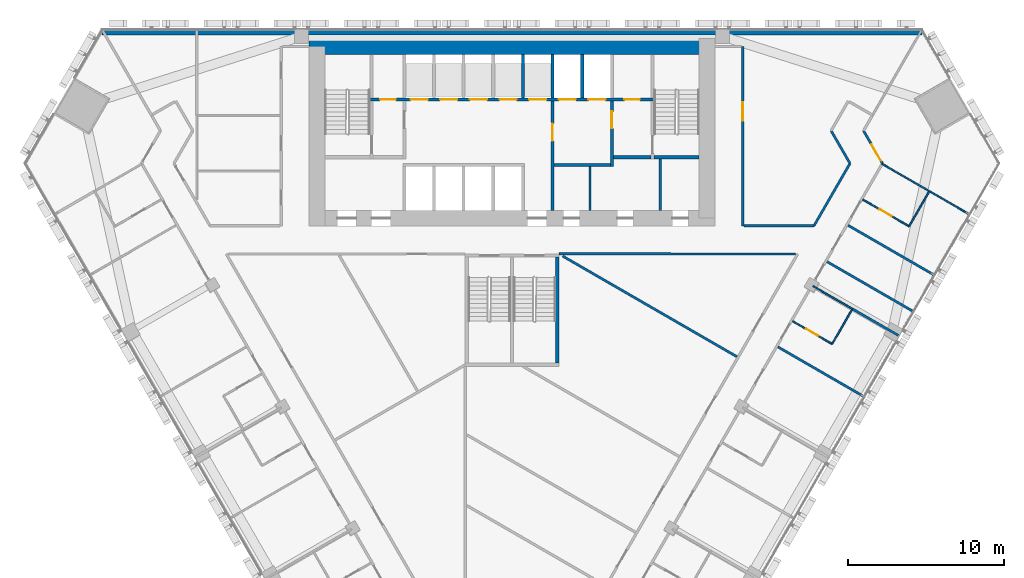
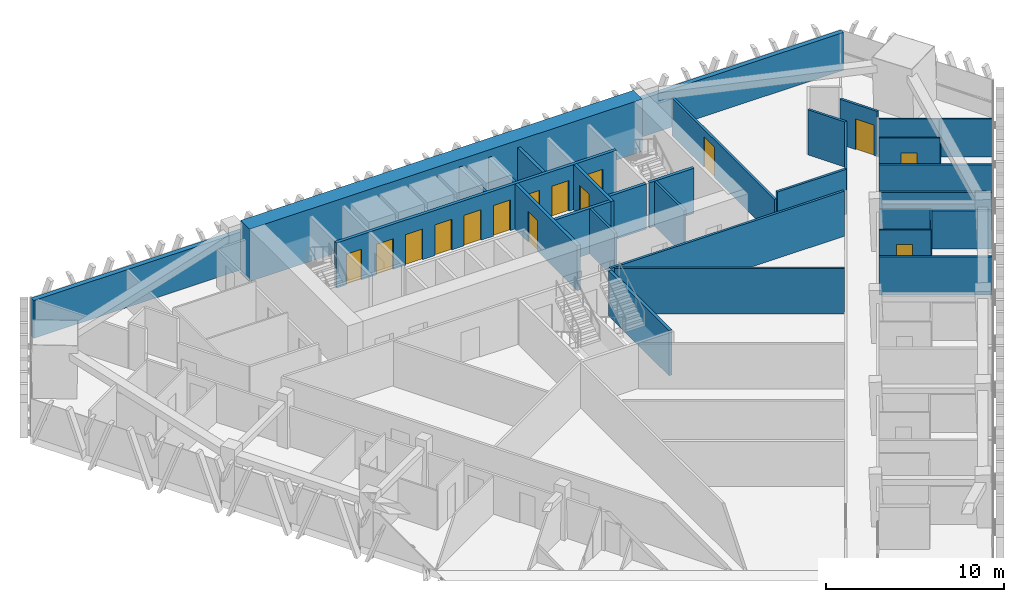
# One storey, part 13 of 17: 31 walls, 15 doors, 15 openings.
"""IFC4 building model written with IfcOpenShell, lengths in metres."""

from ifc_helpers import new_model, si_unit, direction, frame, frame_2d, origin, place, context, subcontext, project, spatial, rectangle, extrude, material, layer, layer_set, type_object, element, fill, save


model = new_model("IFC4")

# Units and contexts
model_context = context("Model", 3, precision=1e-05, world=origin(), true_north=direction((0.0, 1.0)))
body_context = subcontext(model_context, "Body", "Model", "MODEL_VIEW")
ifc_project = project(units=[si_unit("LENGTHUNIT", "METRE"), si_unit("AREAUNIT", "SQUARE_METRE"), si_unit("VOLUMEUNIT", "CUBIC_METRE"), si_unit("PLANEANGLEUNIT", "RADIAN"), si_unit("MASSUNIT", "GRAM", prefix="KILO")], contexts=[model_context])

# Site, building, storey
site_placement = place(None, origin())
site = spatial("IfcSite", under=ifc_project, at=site_placement, CompositionType="ELEMENT")
building_placement = place(site_placement, origin())
building = spatial("IfcBuilding", under=site, at=building_placement, Name="Altiplano Prism Tower", CompositionType="ELEMENT")
storey_placement = place(building_placement, frame((0.0, 0.0, 30.60009765625)))
storey = spatial("IfcBuildingStorey", under=building, at=storey_placement, Name="L06", CompositionType="ELEMENT", Elevation=30.60009765625)

# Walls
ifc_material_1 = material(Name="Concrete C70/85", Category="concrete")
ifc_layer_1 = layer(ifc_material_1, 1.0)
ifc_layer_set_1 = layer_set([ifc_layer_1], Name="Concrete C70/85")
wall_type_1 = type_object("IfcWallType", Name="Core wall 1000", PredefinedType="SHEAR", material=ifc_layer_set_1)
wall_1_placement = place(storey_placement, frame((97.5, 103.89990234375, 0.0), z_axis=(0.0, 0.0, 1.0), x_axis=(-1.0, 0.0, 0.0)))
element("IfcWall", 1, at=wall_1_placement, inside=storey, type_object=wall_type_1, Name="Core wall N L06", PredefinedType="SHEAR", context=body_context, shape_type="SweptSolid", body=[
    extrude(rectangle(XDim=25.5, YDim=1.0, at=frame_2d((12.75, 0.0))), origin(), (0.0, 0.0, 1.0), 3.599853515625),
])
ifc_material_2 = material(Name="Plasterboard on steel stud", Category="steel")
ifc_layer_2 = layer(ifc_material_2, 0.10009765625)
ifc_layer_set_2 = layer_set([ifc_layer_2], Name="Plasterboard on steel stud")
wall_type_2 = type_object("IfcWallType", Name="Partition 100 unit", PredefinedType="PARTITIONING", material=ifc_layer_set_2)
wall_2_placement = place(storey_placement, frame((106.787841796875, 87.014892578125, 0.0), z_axis=(0.0, 0.0, 1.0), x_axis=(-0.499976333282, -0.866039067339, 0.0)))
element("IfcWall", 2, at=wall_2_placement, inside=storey, type_object=wall_type_2, Name="Partition P02 L06 077", PredefinedType="PARTITIONING", context=body_context, shape_type="SweptSolid", body=[
    extrude(rectangle(XDim=2.52490234375, YDim=0.10009765625, at=frame_2d((1.262451171875, 0.0))), origin(), (0.0, 0.0, 1.0), 2.699951171875),
])

# Wall, opening, door
wall_3_placement = place(storey_placement, frame((105.525390625, 84.828125, 0.0), z_axis=(0.0, 0.0, 1.0), x_axis=(-0.865989585315, 0.500062034277, 0.0)))
wall_3 = element("IfcWall", 3, at=wall_3_placement, inside=storey, type_object=wall_type_2, Name="Partition P02 L06 078", PredefinedType="PARTITIONING", context=body_context, shape_type="SweptSolid", body=[
    extrude(rectangle(XDim=2.925048828125, YDim=0.10009765625, at=frame_2d((1.46240234375, 0.0))), origin(), (0.0, 0.0, 1.0), 3.099853515625),
])
opening_1_placement = place(wall_3_placement, frame((1.050048828125, 0.0, 0.0)))
opening_1 = element("IfcOpeningElement", 4, at=opening_1_placement, cuts=wall_3, Name="Opening D0212", PredefinedType="OPENING", context=body_context, shape_type="SweptSolid", body=[
    extrude(rectangle(XDim=0.89990234375, YDim=2.10009765625, at=frame_2d((0.449951171875, 1.050048828125))), frame((0.0, 0.060546875, 0.0), z_axis=(0.0, -1.0, 0.0), x_axis=(1.0, 0.0, 0.0)), (0.0, 0.0, 1.0), 0.12109375),
])
ifc_material_3 = material(Name="Timber", Category="wood")
door_type_1 = type_object("IfcDoorType", Name="Ensuite door 900 x 2100", OperationType="NOTDEFINED", PredefinedType="NOTDEFINED", material=ifc_material_3)
door_1_placement = place(opening_1_placement, origin())
door_1 = element("IfcDoor", 5, at=door_1_placement, inside=storey, type_object=door_type_1, Name="Door D0212", OperationType="SINGLE_SWING_LEFT", OverallHeight=2.10009765625, OverallWidth=0.89990234375, PredefinedType="NOTDEFINED", context=body_context, shape_type="SweptSolid", body=[
    extrude(rectangle(XDim=0.89990234375, YDim=2.10009765625, at=frame_2d((0.449951171875, 1.050048828125))), frame((0.0, 0.02490234375, 0.0), z_axis=(0.0, -1.0, 0.0), x_axis=(1.0, 0.0, 0.0)), (0.0, 0.0, 1.0), 0.050048828125),
])
fill(opening_1, door_1)

# Wall
wall_4_placement = place(storey_placement, frame((111.7333984375, 94.580810546875, 0.0), z_axis=(0.0, 0.0, 1.0), x_axis=(-0.499990435942, -0.866030925526, 0.0)))
element("IfcWall", 6, at=wall_4_placement, inside=storey, type_object=wall_type_2, Name="Partition P02 L06 083", PredefinedType="PARTITIONING", context=body_context, shape_type="SweptSolid", body=[
    extrude(rectangle(XDim=2.5498046875, YDim=0.10009765625, at=frame_2d((1.27490234375, 0.0))), origin(), (0.0, 0.0, 1.0), 2.599853515625),
])

# Wall, opening, door
wall_5_placement = place(storey_placement, frame((110.45849609375, 92.37255859375, 0.0), z_axis=(0.0, 0.0, 1.0), x_axis=(-0.866032454348, 0.499987787867, 0.0)))
wall_5 = element("IfcWall", 7, at=wall_5_placement, inside=storey, type_object=wall_type_2, Name="Partition P02 L06 084", PredefinedType="PARTITIONING", context=body_context, shape_type="SweptSolid", body=[
    extrude(rectangle(XDim=3.4248046875, YDim=0.10009765625, at=frame_2d((1.71240234375, 0.0))), origin(), (0.0, 0.0, 1.0), 3.099853515625),
])
opening_2_placement = place(wall_5_placement, frame((1.300048828125, 0.0, 0.0)))
opening_2 = element("IfcOpeningElement", 8, at=opening_2_placement, cuts=wall_5, Name="Opening D0216", PredefinedType="OPENING", context=body_context, shape_type="SweptSolid", body=[
    extrude(rectangle(XDim=0.89990234375, YDim=2.10009765625, at=frame_2d((0.449951171875, 1.050048828125))), frame((0.0, 0.060546875, 0.0), z_axis=(0.0, -1.0, 0.0), x_axis=(1.0, 0.0, 0.0)), (0.0, 0.0, 1.0), 0.12109375),
])
door_type_2 = type_object("IfcDoorType", Name="Accessible ensuite door 900 x 2100", OperationType="NOTDEFINED", PredefinedType="NOTDEFINED", material=ifc_material_3)
door_2_placement = place(opening_2_placement, origin())
door_2 = element("IfcDoor", 9, at=door_2_placement, inside=storey, type_object=door_type_2, Name="Door D0216", OperationType="SINGLE_SWING_RIGHT", OverallHeight=2.10009765625, OverallWidth=0.89990234375, PredefinedType="NOTDEFINED", context=body_context, shape_type="SweptSolid", body=[
    extrude(rectangle(XDim=0.89990234375, YDim=2.10009765625, at=frame_2d((0.449951171875, 1.050048828125))), frame((0.0, 0.02490234375, 0.0), z_axis=(0.0, -1.0, 0.0), x_axis=(1.0, 0.0, 0.0)), (0.0, 0.0, 1.0), 0.050048828125),
])
fill(opening_2, door_2)

# Walls
ifc_layer_3 = layer(ifc_material_2, 0.10009765625)
ifc_layer_set_3 = layer_set([ifc_layer_3], Name="Plasterboard on steel stud")
wall_type_3 = type_object("IfcWallType", Name="Partition 100 wet", PredefinedType="PARTITIONING", material=ifc_layer_set_3)
wall_6_placement = place(storey_placement, frame((106.8427734375, 87.06982421875, 0.0), z_axis=(0.0, 0.0, 1.0), x_axis=(-0.866010265175, 0.500026219923, 0.0)))
element("IfcWall", 10, at=wall_6_placement, inside=storey, type_object=wall_type_3, Name="Partition P03 L06 080", PredefinedType="PARTITIONING", context=body_context, shape_type="SweptSolid", body=[
    extrude(rectangle(XDim=2.945068359375, YDim=0.10009765625, at=frame_2d((1.47265625, 0.0))), origin(), (0.0, 0.0, 1.0), 2.699951171875),
])
wall_7_placement = place(storey_placement, frame((114.287353515625, 93.1640625, 0.0), z_axis=(0.0, 0.0, 1.0), x_axis=(-0.866034872269, 0.499983599745, 0.0)))
element("IfcWall", 11, at=wall_7_placement, inside=storey, type_object=wall_type_3, Name="Partition P03 L06 085", PredefinedType="PARTITIONING", context=body_context, shape_type="SweptSolid", body=[
    extrude(rectangle(XDim=6.420166015625, YDim=0.10009765625, at=frame_2d((3.2099609375, 0.0))), origin(), (0.0, 0.0, 1.0), 2.599853515625),
])

# Wall, opening, door
ifc_layer_4 = layer(ifc_material_2, 0.14990234375)
ifc_layer_set_4 = layer_set([ifc_layer_4], Name="Plasterboard on steel stud")
wall_type_4 = type_object("IfcWallType", Name="Partition 150 corridor", PredefinedType="PARTITIONING", material=ifc_layer_set_4)
wall_8_placement = place(storey_placement, frame((108.74609375, 96.406494140625, 0.0), z_axis=(0.0, 0.0, 1.0), x_axis=(-0.500016772967, 0.866015719691, 0.0)))
wall_8 = element("IfcWall", 12, at=wall_8_placement, inside=storey, type_object=wall_type_4, Name="Partition P06 L06 013", PredefinedType="PARTITIONING", context=body_context, shape_type="SweptSolid", body=[
    extrude(rectangle(XDim=2.41748046875, YDim=0.14990234375, at=frame_2d((1.208740234375, 0.0))), origin(), (0.0, 0.0, 1.0), 3.099853515625),
])
opening_3_placement = place(wall_8_placement, frame((0.199951171875, 0.0, 0.0)))
opening_3 = element("IfcOpeningElement", 13, at=opening_3_placement, cuts=wall_8, Name="Opening D0217", PredefinedType="OPENING", context=body_context, shape_type="SweptSolid", body=[
    extrude(rectangle(XDim=1.199951171875, YDim=2.10009765625, at=frame_2d((0.60009765625, 1.050048828125))), frame((0.0, 0.08544921875, 0.0), z_axis=(0.0, -1.0, 0.0), x_axis=(1.0, 0.0, 0.0)), (0.0, 0.0, 1.0), 0.1708984375),
])
door_type_3 = type_object("IfcDoorType", Name="Shared room door 1200 x 2100", OperationType="NOTDEFINED", PredefinedType="NOTDEFINED", material=ifc_material_3)
door_3_placement = place(opening_3_placement, origin())
door_3 = element("IfcDoor", 14, at=door_3_placement, inside=storey, type_object=door_type_3, Name="Door D0217", OperationType="SINGLE_SWING_LEFT", OverallHeight=2.10009765625, OverallWidth=1.199951171875, PredefinedType="NOTDEFINED", context=body_context, shape_type="SweptSolid", body=[
    extrude(rectangle(XDim=1.199951171875, YDim=2.10009765625, at=frame_2d((0.60009765625, 1.050048828125))), frame((0.0, 0.02490234375, 0.0), z_axis=(0.0, -1.0, 0.0), x_axis=(1.0, 0.0, 0.0)), (0.0, 0.0, 1.0), 0.050048828125),
])
fill(opening_3, door_3)

# Walls
wall_9_placement = place(storey_placement, frame((105.458740234375, 98.5, 0.0), z_axis=(0.0, 0.0, 1.0), x_axis=(0.500016772967, -0.866015719691, 0.0)))
element("IfcWall", 15, at=wall_9_placement, inside=storey, type_object=wall_type_4, Name="Partition P06 L06 017", PredefinedType="PARTITIONING", context=body_context, shape_type="SweptSolid", body=[
    extrude(rectangle(XDim=2.41748046875, YDim=0.14990234375, at=frame_2d((1.208740234375, 0.0))), origin(), (0.0, 0.0, 1.0), 3.099853515625),
])
wall_10_placement = place(storey_placement, frame((106.66748046875, 96.406494140625, 0.0), z_axis=(0.0, 0.0, 1.0), x_axis=(-0.499964565595, -0.866045860881, 0.0)))
element("IfcWall", 16, at=wall_10_placement, inside=storey, type_object=wall_type_4, Name="Partition P06 L06 018", PredefinedType="PARTITIONING", context=body_context, shape_type="SweptSolid", body=[
    extrude(rectangle(XDim=4.626220703125, YDim=0.14990234375, at=frame_2d((2.31298828125, 0.0))), origin(), (0.0, 0.0, 1.0), 3.099853515625),
])
wall_11_placement = place(storey_placement, frame((104.3544921875, 92.39990234375, 0.0), z_axis=(0.0, 0.0, 1.0), x_axis=(-1.0, 0.0, 0.0)))
element("IfcWall", 17, at=wall_11_placement, inside=storey, type_object=wall_type_4, Name="Partition P06 L06 019", PredefinedType="PARTITIONING", context=body_context, shape_type="SweptSolid", body=[
    extrude(rectangle(XDim=4.4794921875, YDim=0.14990234375, at=frame_2d((2.23974609375, 0.0))), origin(), (0.0, 0.0, 1.0), 3.099853515625),
])

# Wall, opening, door
wall_12_placement = place(storey_placement, frame((99.800048828125, 92.39990234375, 0.0), z_axis=(0.0, 0.0, 1.0), x_axis=(0.0, 1.0, 0.0)))
wall_12 = element("IfcWall", 18, at=wall_12_placement, inside=storey, type_object=wall_type_4, Name="Partition P06 L06 020", PredefinedType="PARTITIONING", context=body_context, shape_type="SweptSolid", body=[
    extrude(rectangle(XDim=11.5, YDim=0.14990234375, at=frame_2d((5.75, 0.0))), origin(), (0.0, 0.0, 1.0), 2.599853515625),
])
opening_4_placement = place(wall_12_placement, frame((6.741943359375, 0.0, 0.0)))
opening_4 = element("IfcOpeningElement", 19, at=opening_4_placement, cuts=wall_12, Name="Opening D0218", PredefinedType="OPENING", context=body_context, shape_type="SweptSolid", body=[
    extrude(rectangle(XDim=1.199951171875, YDim=2.10009765625, at=frame_2d((0.60009765625, 1.050048828125))), frame((0.0, 0.08544921875, 0.0), z_axis=(0.0, -1.0, 0.0), x_axis=(1.0, 0.0, 0.0)), (0.0, 0.0, 1.0), 0.1708984375),
])
door_4_placement = place(opening_4_placement, origin())
door_4 = element("IfcDoor", 20, at=door_4_placement, inside=storey, type_object=door_type_3, Name="Door D0218", OperationType="SINGLE_SWING_RIGHT", OverallHeight=2.10009765625, OverallWidth=1.199951171875, PredefinedType="NOTDEFINED", context=body_context, shape_type="SweptSolid", body=[
    extrude(rectangle(XDim=1.199951171875, YDim=2.10009765625, at=frame_2d((0.60009765625, 1.050048828125))), frame((0.0, 0.02490234375, 0.0), z_axis=(0.0, -1.0, 0.0), x_axis=(1.0, 0.0, 0.0)), (0.0, 0.0, 1.0), 0.050048828125),
])
fill(opening_4, door_4)

# Walls
wall_13_placement = place(storey_placement, frame((88.0, 90.608154296875, 0.0), z_axis=(0.0, 0.0, 1.0), x_axis=(0.999999859256, -0.000530555079, 0.0)))
element("IfcWall", 21, at=wall_13_placement, inside=storey, type_object=wall_type_4, Name="Partition P06 L06 025", PredefinedType="PARTITIONING", context=body_context, shape_type="SweptSolid", body=[
    extrude(rectangle(XDim=15.185302734375, YDim=0.14990234375, at=frame_2d((7.5927734375, 0.0))), origin(), (0.0, 0.0, 1.0), 3.099853515625),
])
ifc_layer_5 = layer(ifc_material_2, 0.14990234375)
ifc_layer_set_5 = layer_set([ifc_layer_5], Name="Plasterboard on steel stud")
wall_type_5 = type_object("IfcWallType", Name="Partition 150 party", PredefinedType="PARTITIONING", material=ifc_layer_set_5)
wall_14_placement = place(storey_placement, frame((107.537353515625, 81.47265625, 0.0), z_axis=(0.0, 0.0, 1.0), x_axis=(-0.866025401434, 0.500000004071, 0.0)))
element("IfcWall", 22, at=wall_14_placement, inside=storey, type_object=wall_type_5, Name="Partition P01 L06 076", PredefinedType="PARTITIONING", context=body_context, shape_type="SweptSolid", body=[
    extrude(rectangle(XDim=6.34521484375, YDim=0.14990234375, at=frame_2d((3.172607421875, 0.0))), origin(), (0.0, 0.0, 1.0), 2.599853515625),
])
wall_15_placement = place(storey_placement, frame((109.77001953125, 85.3798828125, 0.0), z_axis=(0.0, 0.0, 1.0), x_axis=(-0.866038183914, 0.499977863513, 0.0)))
element("IfcWall", 23, at=wall_15_placement, inside=storey, type_object=wall_type_5, Name="Partition P01 L06 079", PredefinedType="PARTITIONING", context=body_context, shape_type="SweptSolid", body=[
    extrude(rectangle(XDim=3.420166015625, YDim=0.14990234375, at=frame_2d((1.7099609375, 0.0))), origin(), (0.0, 0.0, 1.0), 2.599853515625),
])
wall_16_placement = place(storey_placement, frame((110.69091796875, 86.93505859375, 0.0), z_axis=(0.0, 0.0, 1.0), x_axis=(-0.866032443377, 0.499987806871, 0.0)))
element("IfcWall", 24, at=wall_16_placement, inside=storey, type_object=wall_type_5, Name="Partition P01 L06 081", PredefinedType="PARTITIONING", context=body_context, shape_type="SweptSolid", body=[
    extrude(rectangle(XDim=6.344970703125, YDim=0.14990234375, at=frame_2d((3.17236328125, 0.0))), origin(), (0.0, 0.0, 1.0), 2.599853515625),
])
wall_17_placement = place(storey_placement, frame((112.037353515625, 89.266845703125, 0.0), z_axis=(0.0, 0.0, 1.0), x_axis=(-0.866025401434, 0.500000004071, 0.0)))
element("IfcWall", 25, at=wall_17_placement, inside=storey, type_object=wall_type_5, Name="Partition P01 L06 082", PredefinedType="PARTITIONING", context=body_context, shape_type="SweptSolid", body=[
    extrude(rectangle(XDim=6.34521484375, YDim=0.14990234375, at=frame_2d((3.172607421875, 0.0))), origin(), (0.0, 0.0, 1.0), 2.599853515625),
])
wall_18_placement = place(storey_placement, frame((99.425048828125, 84.011962890625, 0.0), z_axis=(0.0, 0.0, 1.0), x_axis=(-0.866028468914, 0.499994691002, 0.0)))
element("IfcWall", 26, at=wall_18_placement, inside=storey, type_object=wall_type_5, Name="Partition P01 L06 088", PredefinedType="PARTITIONING", context=body_context, shape_type="SweptSolid", body=[
    extrude(rectangle(XDim=12.912353515625, YDim=0.14990234375, at=frame_2d((6.4560546875, 0.0))), origin(), (0.0, 0.0, 1.0), 3.099853515625),
])
ifc_material_4 = material(Name="Fire-rated gypsum board partition")
ifc_layer_6 = layer(ifc_material_4, 0.14990234375)
ifc_layer_set_6 = layer_set([ifc_layer_6], Name="Fire-rated gypsum board partition")
wall_type_6 = type_object("IfcWallType", Name="Room partition 150", PredefinedType="PARTITIONING", material=ifc_layer_set_6)
wall_19_placement = place(storey_placement, frame((90.0, 93.39990234375, 0.0), z_axis=(0.0, 0.0, 1.0), x_axis=(0.0, 1.0, 0.0)))
element("IfcWall", 27, at=wall_19_placement, inside=storey, type_object=wall_type_6, Name="Room partition L06", PredefinedType="PARTITIONING", context=body_context, shape_type="SweptSolid", body=[
    extrude(rectangle(XDim=2.800048828125, YDim=0.14990234375, at=frame_2d((1.39990234375, 0.0))), origin(), (0.0, 0.0, 1.0), 3.099853515625),
])
wall_20_placement = place(storey_placement, frame((94.5, 93.39990234375, 0.0), z_axis=(0.0, 0.0, 1.0), x_axis=(0.0, 1.0, 0.0)))
element("IfcWall", 28, at=wall_20_placement, inside=storey, type_object=wall_type_6, Name="Room partition L06", PredefinedType="PARTITIONING", context=body_context, shape_type="SweptSolid", body=[
    extrude(rectangle(XDim=3.300048828125, YDim=0.14990234375, at=frame_2d((1.64990234375, 0.0))), origin(), (0.0, 0.0, 1.0), 3.099853515625),
])
ifc_material_5 = material(Name="Concrete C60/75", Category="concrete")
ifc_layer_7 = layer(ifc_material_5, 0.199951171875)
ifc_layer_set_7 = layer_set([ifc_layer_7], Name="Concrete C60/75")
wall_type_7 = type_object("IfcWallType", Name="Shaft wall 200", PredefinedType="SOLIDWALL", material=ifc_layer_set_7)
for number, where, z_axis, x_axis, name in (
    (29, (85.699951171875, 100.60009765625, 0.0), (0.0, 0.0, 1.0), (0.0, 1.0, 0.0), "Shaft wall L06"),
    (30, (87.60009765625, 100.60009765625, 0.0), (0.0, 0.0, 1.0), (0.0, 1.0, 0.0), "Shaft wall L06"),
    (31, (89.5, 100.60009765625, 0.0), (0.0, 0.0, 1.0), (0.0, 1.0, 0.0), "Shaft wall L06"),
):
    element("IfcWall", number, at=place(storey_placement, frame(where, z_axis=z_axis, x_axis=x_axis)), inside=storey, type_object=wall_type_7, Name=name, PredefinedType="SOLIDWALL", context=body_context, shape_type="SweptSolid", body=[
        extrude(rectangle(XDim=2.7998046875, YDim=0.199951171875, at=frame_2d((1.39990234375, 0.0))), origin(), (0.0, 0.0, 1.0), 3.099853515625),
    ])
ifc_layer_8 = layer(ifc_material_5, 0.199951171875)
ifc_layer_set_8 = layer_set([ifc_layer_8], Name="Concrete C60/75")
wall_type_8 = type_object("IfcWallType", Name="Stair wall 200", PredefinedType="SOLIDWALL", material=ifc_layer_set_8)
wall_21_placement = place(storey_placement, frame((94.10009765625, 96.800048828125, 0.0), z_axis=(0.0, 0.0, 1.0), x_axis=(1.0, 0.0, 0.0)))
element("IfcWall", 32, at=wall_21_placement, inside=storey, type_object=wall_type_8, Name="Stair wall L06", PredefinedType="SOLIDWALL", context=body_context, shape_type="SweptSolid", body=[
    extrude(rectangle(XDim=2.89990234375, YDim=0.199951171875, at=frame_2d((1.449951171875, 0.0))), origin(), (0.0, 0.0, 1.0), 3.099853515625),
])

# Wall, openings, doors
wall_22_placement = place(storey_placement, frame((75.89990234375, 100.5, 0.0), z_axis=(0.0, 0.0, 1.0), x_axis=(1.0, 0.0, 0.0)))
wall_22 = element("IfcWall", 33, at=wall_22_placement, inside=storey, type_object=wall_type_8, Name="Stair wall L06", PredefinedType="SOLIDWALL", context=body_context, shape_type="SweptSolid", body=[
    extrude(rectangle(XDim=18.2001953125, YDim=0.199951171875, at=frame_2d((9.10009765625, 0.0))), origin(), (0.0, 0.0, 1.0), 3.099853515625),
])
opening_5_placement = place(wall_22_placement, frame((2.60009765625, 0.0, 0.0)))
opening_5 = element("IfcOpeningElement", 34, at=opening_5_placement, cuts=wall_22, Name="Opening LD-LL1-L06", PredefinedType="OPENING", context=body_context, shape_type="SweptSolid", body=[
    extrude(rectangle(XDim=1.10009765625, YDim=2.10009765625, at=frame_2d((0.550048828125, 1.050048828125))), frame((0.0, 0.1103515625, 0.0), z_axis=(0.0, -1.0, 0.0), x_axis=(1.0, 0.0, 0.0)), (0.0, 0.0, 1.0), 0.220947265625),
])
opening_6_placement = place(wall_22_placement, frame((4.5, 0.0, 0.0)))
opening_6 = element("IfcOpeningElement", 35, at=opening_6_placement, cuts=wall_22, Name="Opening LD-LL2-L06", PredefinedType="OPENING", context=body_context, shape_type="SweptSolid", body=[
    extrude(rectangle(XDim=1.10009765625, YDim=2.10009765625, at=frame_2d((0.550048828125, 1.050048828125))), frame((0.0, 0.1103515625, 0.0), z_axis=(0.0, -1.0, 0.0), x_axis=(1.0, 0.0, 0.0)), (0.0, 0.0, 1.0), 0.220947265625),
])
opening_7_placement = place(wall_22_placement, frame((6.39990234375, 0.0, 0.0)))
opening_7 = element("IfcOpeningElement", 36, at=opening_7_placement, cuts=wall_22, Name="Opening LD-LL3-L06", PredefinedType="OPENING", context=body_context, shape_type="SweptSolid", body=[
    extrude(rectangle(XDim=1.10009765625, YDim=2.10009765625, at=frame_2d((0.550048828125, 1.050048828125))), frame((0.0, 0.1103515625, 0.0), z_axis=(0.0, -1.0, 0.0), x_axis=(1.0, 0.0, 0.0)), (0.0, 0.0, 1.0), 0.220947265625),
])
opening_8_placement = place(wall_22_placement, frame((8.300048828125, 0.0, 0.0)))
opening_8 = element("IfcOpeningElement", 37, at=opening_8_placement, cuts=wall_22, Name="Opening LD-LL4-L06", PredefinedType="OPENING", context=body_context, shape_type="SweptSolid", body=[
    extrude(rectangle(XDim=1.10009765625, YDim=2.10009765625, at=frame_2d((0.550048828125, 1.050048828125))), frame((0.0, 0.1103515625, 0.0), z_axis=(0.0, -1.0, 0.0), x_axis=(1.0, 0.0, 0.0)), (0.0, 0.0, 1.0), 0.220947265625),
])
opening_9_placement = place(wall_22_placement, frame((10.199951171875, 0.0, 0.0)))
opening_9 = element("IfcOpeningElement", 38, at=opening_9_placement, cuts=wall_22, Name="Opening LD-LL5-L06", PredefinedType="OPENING", context=body_context, shape_type="SweptSolid", body=[
    extrude(rectangle(XDim=1.10009765625, YDim=2.10009765625, at=frame_2d((0.550048828125, 1.050048828125))), frame((0.0, 0.1103515625, 0.0), z_axis=(0.0, -1.0, 0.0), x_axis=(1.0, 0.0, 0.0)), (0.0, 0.0, 1.0), 0.220947265625),
])
opening_10_placement = place(wall_22_placement, frame((12.10009765625, 0.0, 0.0)))
opening_10 = element("IfcOpeningElement", 39, at=opening_10_placement, cuts=wall_22, Name="Opening LD-FF1-L06", PredefinedType="OPENING", context=body_context, shape_type="SweptSolid", body=[
    extrude(rectangle(XDim=1.10009765625, YDim=2.10009765625, at=frame_2d((0.550048828125, 1.050048828125))), frame((0.0, 0.1103515625, 0.0), z_axis=(0.0, -1.0, 0.0), x_axis=(1.0, 0.0, 0.0)), (0.0, 0.0, 1.0), 0.220947265625),
])
opening_11_placement = place(wall_22_placement, frame((14.0, 0.0, 0.0)))
opening_11 = element("IfcOpeningElement", 40, at=opening_11_placement, cuts=wall_22, Name="Opening LD-FF2-L06", PredefinedType="OPENING", context=body_context, shape_type="SweptSolid", body=[
    extrude(rectangle(XDim=1.10009765625, YDim=2.10009765625, at=frame_2d((0.550048828125, 1.050048828125))), frame((0.0, 0.1103515625, 0.0), z_axis=(0.0, -1.0, 0.0), x_axis=(1.0, 0.0, 0.0)), (0.0, 0.0, 1.0), 0.220947265625),
])
opening_12_placement = place(wall_22_placement, frame((0.64990234375, 0.0, 0.0)))
opening_12 = element("IfcOpeningElement", 41, at=opening_12_placement, cuts=wall_22, Name="Opening D2676", PredefinedType="OPENING", context=body_context, shape_type="SweptSolid", body=[
    extrude(rectangle(XDim=1.0, YDim=2.10009765625, at=frame_2d((0.5, 1.050048828125))), frame((0.0, 0.1103515625, 0.0), z_axis=(0.0, -1.0, 0.0), x_axis=(1.0, 0.0, 0.0)), (0.0, 0.0, 1.0), 0.220947265625),
])
opening_13_placement = place(wall_22_placement, frame((16.300048828125, 0.0, 0.0)))
opening_13 = element("IfcOpeningElement", 42, at=opening_13_placement, cuts=wall_22, Name="Opening D2677", PredefinedType="OPENING", context=body_context, shape_type="SweptSolid", body=[
    extrude(rectangle(XDim=1.0, YDim=2.10009765625, at=frame_2d((0.5, 1.050048828125))), frame((0.0, 0.1103515625, 0.0), z_axis=(0.0, -1.0, 0.0), x_axis=(1.0, 0.0, 0.0)), (0.0, 0.0, 1.0), 0.220947265625),
])
ifc_material_6 = material(Name="Fire-rated steel door", Category="steel")
door_type_4 = type_object("IfcDoorType", Name="Core room door 1000 x 2100", OperationType="NOTDEFINED", PredefinedType="NOTDEFINED", material=ifc_material_6)
door_5_placement = place(opening_12_placement, origin())
door_5 = element("IfcDoor", 43, at=door_5_placement, inside=storey, type_object=door_type_4, Name="Core room door D2676", OperationType="SINGLE_SWING_LEFT", OverallHeight=2.10009765625, OverallWidth=1.0, PredefinedType="NOTDEFINED", context=body_context, shape_type="SweptSolid", body=[
    extrude(rectangle(XDim=1.0, YDim=2.10009765625, at=frame_2d((0.5, 1.050048828125))), frame((0.0, 0.02490234375, 0.0), z_axis=(0.0, -1.0, 0.0), x_axis=(1.0, 0.0, 0.0)), (0.0, 0.0, 1.0), 0.050048828125),
])
fill(opening_12, door_5)
door_6_placement = place(opening_13_placement, origin())
door_6 = element("IfcDoor", 44, at=door_6_placement, inside=storey, type_object=door_type_4, Name="Core room door D2677", OperationType="SINGLE_SWING_RIGHT", OverallHeight=2.10009765625, OverallWidth=1.0, PredefinedType="NOTDEFINED", context=body_context, shape_type="SweptSolid", body=[
    extrude(rectangle(XDim=1.0, YDim=2.10009765625, at=frame_2d((0.5, 1.050048828125))), frame((0.0, 0.02490234375, 0.0), z_axis=(0.0, -1.0, 0.0), x_axis=(1.0, 0.0, 0.0)), (0.0, 0.0, 1.0), 0.050048828125),
])
fill(opening_13, door_6)
ifc_material_7 = material(Name="Stainless steel landing door", Category="steel")
door_type_5 = type_object("IfcDoorType", Name="Landing door 1100 x 2100", OperationType="NOTDEFINED", PredefinedType="NOTDEFINED", material=ifc_material_7)
door_7_placement = place(opening_5_placement, origin())
door_7 = element("IfcDoor", 45, at=door_7_placement, inside=storey, type_object=door_type_5, Name="Landing doors LL1", OperationType="SLIDING_TO_RIGHT", OverallHeight=2.10009765625, OverallWidth=1.10009765625, PredefinedType="NOTDEFINED", context=body_context, shape_type="SweptSolid", body=[
    extrude(rectangle(XDim=1.10009765625, YDim=2.10009765625, at=frame_2d((0.550048828125, 1.050048828125))), frame((0.0, 0.02490234375, 0.0), z_axis=(0.0, -1.0, 0.0), x_axis=(1.0, 0.0, 0.0)), (0.0, 0.0, 1.0), 0.050048828125),
])
fill(opening_5, door_7)
door_8_placement = place(opening_6_placement, origin())
door_8 = element("IfcDoor", 46, at=door_8_placement, inside=storey, type_object=door_type_5, Name="Landing doors LL2", OperationType="SLIDING_TO_LEFT", OverallHeight=2.10009765625, OverallWidth=1.10009765625, PredefinedType="NOTDEFINED", context=body_context, shape_type="SweptSolid", body=[
    extrude(rectangle(XDim=1.10009765625, YDim=2.10009765625, at=frame_2d((0.550048828125, 1.050048828125))), frame((0.0, 0.02490234375, 0.0), z_axis=(0.0, -1.0, 0.0), x_axis=(1.0, 0.0, 0.0)), (0.0, 0.0, 1.0), 0.050048828125),
])
fill(opening_6, door_8)
door_9_placement = place(opening_7_placement, origin())
door_9 = element("IfcDoor", 47, at=door_9_placement, inside=storey, type_object=door_type_5, Name="Landing doors LL3", OperationType="SLIDING_TO_RIGHT", OverallHeight=2.10009765625, OverallWidth=1.10009765625, PredefinedType="NOTDEFINED", context=body_context, shape_type="SweptSolid", body=[
    extrude(rectangle(XDim=1.10009765625, YDim=2.10009765625, at=frame_2d((0.550048828125, 1.050048828125))), frame((0.0, 0.02490234375, 0.0), z_axis=(0.0, -1.0, 0.0), x_axis=(1.0, 0.0, 0.0)), (0.0, 0.0, 1.0), 0.050048828125),
])
fill(opening_7, door_9)
door_10_placement = place(opening_8_placement, origin())
door_10 = element("IfcDoor", 48, at=door_10_placement, inside=storey, type_object=door_type_5, Name="Landing doors LL4", OperationType="SLIDING_TO_LEFT", OverallHeight=2.10009765625, OverallWidth=1.10009765625, PredefinedType="NOTDEFINED", context=body_context, shape_type="SweptSolid", body=[
    extrude(rectangle(XDim=1.10009765625, YDim=2.10009765625, at=frame_2d((0.550048828125, 1.050048828125))), frame((0.0, 0.02490234375, 0.0), z_axis=(0.0, -1.0, 0.0), x_axis=(1.0, 0.0, 0.0)), (0.0, 0.0, 1.0), 0.050048828125),
])
fill(opening_8, door_10)
door_11_placement = place(opening_9_placement, origin())
door_11 = element("IfcDoor", 49, at=door_11_placement, inside=storey, type_object=door_type_5, Name="Landing doors LL5", OperationType="SLIDING_TO_RIGHT", OverallHeight=2.10009765625, OverallWidth=1.10009765625, PredefinedType="NOTDEFINED", context=body_context, shape_type="SweptSolid", body=[
    extrude(rectangle(XDim=1.10009765625, YDim=2.10009765625, at=frame_2d((0.550048828125, 1.050048828125))), frame((0.0, 0.02490234375, 0.0), z_axis=(0.0, -1.0, 0.0), x_axis=(1.0, 0.0, 0.0)), (0.0, 0.0, 1.0), 0.050048828125),
])
fill(opening_9, door_11)
door_12_placement = place(opening_10_placement, origin())
door_12 = element("IfcDoor", 50, at=door_12_placement, inside=storey, type_object=door_type_5, Name="Landing doors FF1", OperationType="SLIDING_TO_RIGHT", OverallHeight=2.10009765625, OverallWidth=1.10009765625, PredefinedType="NOTDEFINED", context=body_context, shape_type="SweptSolid", body=[
    extrude(rectangle(XDim=1.10009765625, YDim=2.10009765625, at=frame_2d((0.550048828125, 1.050048828125))), frame((0.0, 0.02490234375, 0.0), z_axis=(0.0, -1.0, 0.0), x_axis=(1.0, 0.0, 0.0)), (0.0, 0.0, 1.0), 0.050048828125),
])
fill(opening_10, door_12)
door_13_placement = place(opening_11_placement, origin())
door_13 = element("IfcDoor", 51, at=door_13_placement, inside=storey, type_object=door_type_5, Name="Landing doors FF2", OperationType="SLIDING_TO_LEFT", OverallHeight=2.10009765625, OverallWidth=1.10009765625, PredefinedType="NOTDEFINED", context=body_context, shape_type="SweptSolid", body=[
    extrude(rectangle(XDim=1.10009765625, YDim=2.10009765625, at=frame_2d((0.550048828125, 1.050048828125))), frame((0.0, 0.02490234375, 0.0), z_axis=(0.0, -1.0, 0.0), x_axis=(1.0, 0.0, 0.0)), (0.0, 0.0, 1.0), 0.050048828125),
])
fill(opening_11, door_13)

# Walls
wall_23_placement = place(storey_placement, frame((87.89990234375, 83.60009765625, 0.0), z_axis=(0.0, 0.0, 1.0), x_axis=(0.0, 1.0, 0.0)))
element("IfcWall", 52, at=wall_23_placement, inside=storey, type_object=wall_type_8, Name="Stair 3 wall east L06", PredefinedType="SOLIDWALL", context=body_context, shape_type="SweptSolid", body=[
    extrude(rectangle(XDim=6.7998046875, YDim=0.199951171875, at=frame_2d((3.39990234375, 0.0))), origin(), (0.0, 0.0, 1.0), 3.099853515625),
])
ifc_material_8 = material(Name="Concrete C40", Category="concrete")
ifc_layer_9 = layer(ifc_material_8, 0.300048828125)
ifc_layer_set_9 = layer_set([ifc_layer_9], Name="Concrete C40")
wall_type_9 = type_object("IfcWallType", Name="Stone-clad external wall 300", PredefinedType="SOLIDWALL", material=ifc_layer_set_9)
wall_24_placement = place(storey_placement, frame((58.7099609375, 104.7900390625, 0.0), z_axis=(0.0, 0.0, 1.0), x_axis=(1.0, 0.0, 0.0)))
element("IfcWall", 53, at=wall_24_placement, inside=storey, type_object=wall_type_9, Name="External wall north face L06", PredefinedType="SOLIDWALL", context=body_context, shape_type="SweptSolid", body=[
    extrude(rectangle(XDim=52.580078125, YDim=0.300048828125, at=frame_2d((26.2900390625, 0.0))), origin(), (0.0, 0.0, 1.0), 2.599853515625),
])

# Wall, opening, door
ifc_layer_10 = layer(ifc_material_5, 0.199951171875)
ifc_layer_set_10 = layer_set([ifc_layer_10], Name="Concrete C60/75")
wall_type_10 = type_object("IfcWallType", Name="Vestibule wall 200", PredefinedType="PARTITIONING", material=ifc_layer_set_10)
wall_25_placement = place(storey_placement, frame((87.60009765625, 93.39990234375, 0.0), z_axis=(0.0, 0.0, 1.0), x_axis=(0.0, 1.0, 0.0)))
wall_25 = element("IfcWall", 54, at=wall_25_placement, inside=storey, type_object=wall_type_10, Name="Vestibule wall L06", PredefinedType="PARTITIONING", context=body_context, shape_type="SweptSolid", body=[
    extrude(rectangle(XDim=7.0, YDim=0.199951171875, at=frame_2d((3.5, 0.0))), origin(), (0.0, 0.0, 1.0), 3.099853515625),
])
opening_14_placement = place(wall_25_placement, frame((4.449951171875, 0.0, 0.0)))
opening_14 = element("IfcOpeningElement", 55, at=opening_14_placement, cuts=wall_25, Name="Opening D2671", PredefinedType="OPENING", context=body_context, shape_type="SweptSolid", body=[
    extrude(rectangle(XDim=1.10009765625, YDim=2.10009765625, at=frame_2d((0.550048828125, 1.050048828125))), frame((0.0, 0.1103515625, 0.0), z_axis=(0.0, -1.0, 0.0), x_axis=(1.0, 0.0, 0.0)), (0.0, 0.0, 1.0), 0.220947265625),
])
door_type_6 = type_object("IfcDoorType", Name="Vestibule fire door 1100 x 2100", OperationType="NOTDEFINED", PredefinedType="NOTDEFINED", material=ifc_material_6)
door_14_placement = place(opening_14_placement, origin())
door_14 = element("IfcDoor", 56, at=door_14_placement, inside=storey, type_object=door_type_6, Name="Vestibule fire door D2671", OperationType="SINGLE_SWING_RIGHT", OverallHeight=2.10009765625, OverallWidth=1.10009765625, PredefinedType="NOTDEFINED", context=body_context, shape_type="SweptSolid", body=[
    extrude(rectangle(XDim=1.10009765625, YDim=2.10009765625, at=frame_2d((0.550048828125, 1.050048828125))), frame((0.0, 0.02490234375, 0.0), z_axis=(0.0, -1.0, 0.0), x_axis=(1.0, 0.0, 0.0)), (0.0, 0.0, 1.0), 0.050048828125),
])
fill(opening_14, door_14)

# Wall
wall_26_placement = place(storey_placement, frame((87.699951171875, 96.300048828125, 0.0), z_axis=(0.0, 0.0, 1.0), x_axis=(1.0, 0.0, 0.0)))
element("IfcWall", 57, at=wall_26_placement, inside=storey, type_object=wall_type_10, Name="Vestibule wall L06", PredefinedType="PARTITIONING", context=body_context, shape_type="SweptSolid", body=[
    extrude(rectangle(XDim=3.60009765625, YDim=0.199951171875, at=frame_2d((1.800048828125, 0.0))), origin(), (0.0, 0.0, 1.0), 3.099853515625),
])

# Wall, opening, door
wall_27_placement = place(storey_placement, frame((91.39990234375, 96.199951171875, 0.0), z_axis=(0.0, 0.0, 1.0), x_axis=(0.0, 1.0, 0.0)))
wall_27 = element("IfcWall", 58, at=wall_27_placement, inside=storey, type_object=wall_type_10, Name="Vestibule wall L06", PredefinedType="PARTITIONING", context=body_context, shape_type="SweptSolid", body=[
    extrude(rectangle(XDim=4.199951171875, YDim=0.199951171875, at=frame_2d((2.10009765625, 0.0))), origin(), (0.0, 0.0, 1.0), 3.099853515625),
])
opening_15_placement = place(wall_27_placement, frame((2.449951171875, 0.0, 0.0)))
opening_15 = element("IfcOpeningElement", 59, at=opening_15_placement, cuts=wall_27, Name="Opening D2672", PredefinedType="OPENING", context=body_context, shape_type="SweptSolid", body=[
    extrude(rectangle(XDim=1.10009765625, YDim=2.10009765625, at=frame_2d((0.550048828125, 1.050048828125))), frame((0.0, 0.1103515625, 0.0), z_axis=(0.0, -1.0, 0.0), x_axis=(1.0, 0.0, 0.0)), (0.0, 0.0, 1.0), 0.220947265625),
])
door_15_placement = place(opening_15_placement, origin())
door_15 = element("IfcDoor", 60, at=door_15_placement, inside=storey, type_object=door_type_6, Name="Vestibule fire door D2672", OperationType="SINGLE_SWING_LEFT", OverallHeight=2.10009765625, OverallWidth=1.10009765625, PredefinedType="NOTDEFINED", context=body_context, shape_type="SweptSolid", body=[
    extrude(rectangle(XDim=1.10009765625, YDim=2.10009765625, at=frame_2d((0.550048828125, 1.050048828125))), frame((0.0, 0.02490234375, 0.0), z_axis=(0.0, -1.0, 0.0), x_axis=(1.0, 0.0, 0.0)), (0.0, 0.0, 1.0), 0.050048828125),
])
fill(opening_15, door_15)

# Wall
wall_28_placement = place(storey_placement, frame((91.5, 96.800048828125, 0.0), z_axis=(0.0, 0.0, 1.0), x_axis=(1.0, 0.0, 0.0)))
element("IfcWall", 61, at=wall_28_placement, inside=storey, type_object=wall_type_10, Name="Vestibule wall L06", PredefinedType="PARTITIONING", context=body_context, shape_type="SweptSolid", body=[
    extrude(rectangle(XDim=2.39990234375, YDim=0.199951171875, at=frame_2d((1.199951171875, 0.0))), origin(), (0.0, 0.0, 1.0), 3.099853515625),
])

save(model, "model.ifc")
